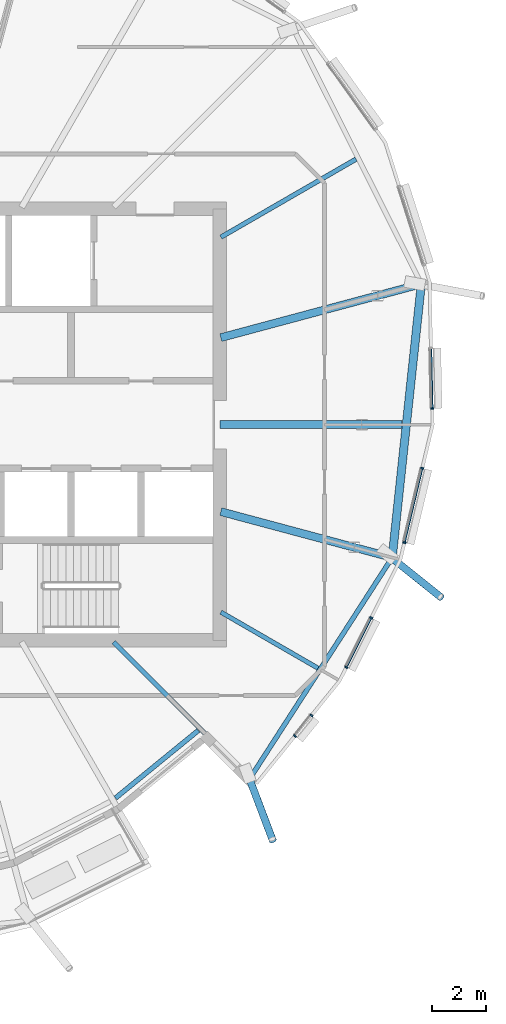
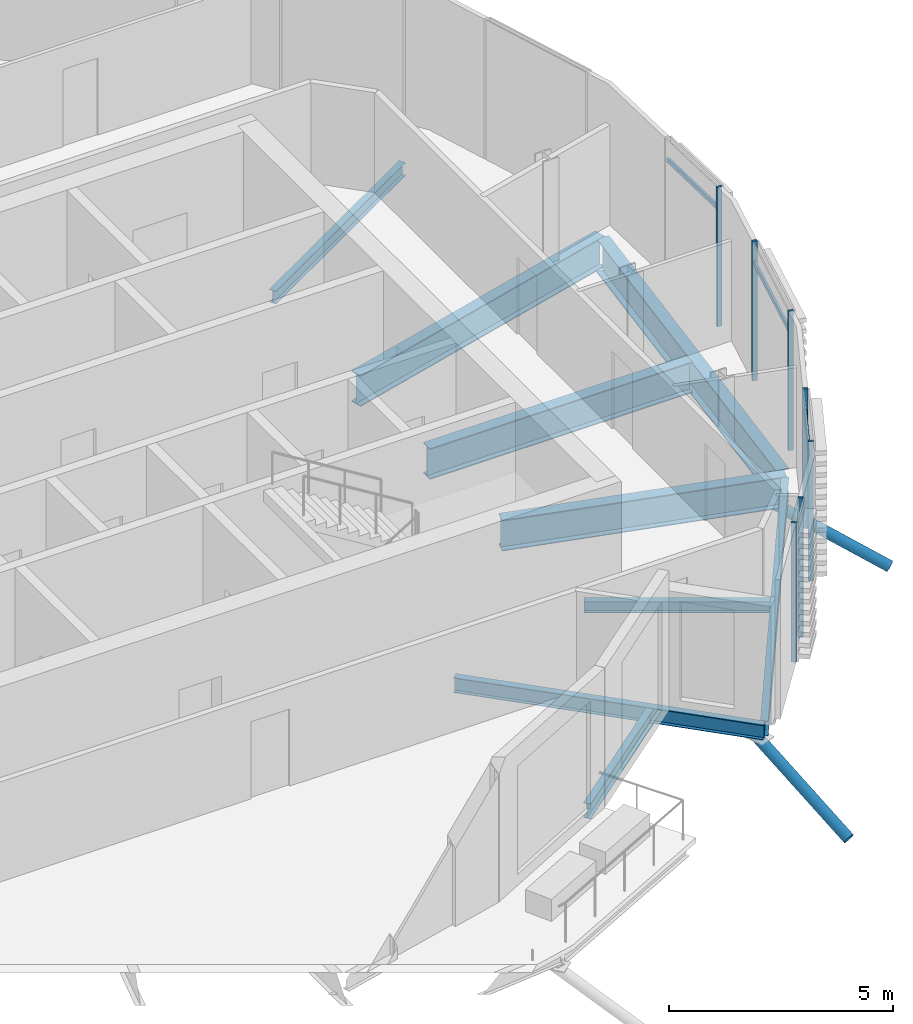
# One storey, part 12 of 41: 12 members, 9 beams, 1 element without a shape of its own.
"""IFC4 building model written with IfcOpenShell, lengths in metres."""

import ifcopenshell
import ifcopenshell.guid

model = None  # the IFC model being written
_history = None  # IfcOwnerHistory: only IFC2X3 demands one
_inside = {}  # id of a spatial element -> (the spatial element, [elements in it])
_under = {}  # id of a project, library or spatial element -> (it, [spatial elements below it])
_declared = {}  # id of a project -> (the project, [libraries it declares])
_typed = {}  # id of a type object -> (the type object, [elements of that type])
_made_of = {}  # id of a material, layer set ... -> (it, [elements and type objects made of it])


def new_model(schema):
    """Start an empty IFC model of exactly this schema.

    Asked for "IFC4X3", IfcOpenShell would pick the latest addendum, in which some entities
    have other attributes; the version numbers below select the first issue.
    IFC2X3 requires an IfcOwnerHistory on every rooted entity: one is made here for all.
    """
    global model, _history
    if schema == "IFC4X3":
        model = ifcopenshell.file(schema_version=(4, 3, 0, 0))
    else:
        model = ifcopenshell.file(schema=schema)
    _inside.clear()
    _under.clear()
    _declared.clear()
    _typed.clear()
    _made_of.clear()
    _history = None
    if model.schema == "IFC2X3":
        org = make("IfcOrganization", Name="unknown")
        user = make(
            "IfcPersonAndOrganization",
            ThePerson=make("IfcPerson", FamilyName="unknown"),
            TheOrganization=org,
        )
        app = make(
            "IfcApplication",
            ApplicationDeveloper=org,
            Version="unknown",
            ApplicationFullName="unknown",
            ApplicationIdentifier="unknown",
        )
        _history = make(
            "IfcOwnerHistory",
            OwningUser=user,
            OwningApplication=app,
            ChangeAction="ADDED",
            CreationDate=0,
        )
    return model


def make(cls, **values):
    """One entity of the class cls with the attributes given. An attribute that is None is left unset."""
    return model.create_entity(
        cls, **{name: value for name, value in values.items() if value is not None}
    )


def rooted(cls, **values):
    """An entity with a GlobalId (a new one), such as an element, a storey or a relation."""
    return make(cls, GlobalId=ifcopenshell.guid.new(), OwnerHistory=_history, **values)


def si_unit(unit_type, name, prefix=None):
    """IfcSIUnit, for example si_unit("LENGTHUNIT", "METRE", prefix="MILLI")."""
    return make("IfcSIUnit", UnitType=unit_type, Prefix=prefix, Name=name)


def assignment(units):
    """IfcUnitAssignment: the units of a project."""
    return None if units is None else make("IfcUnitAssignment", Units=units)


def point(xyz):
    """IfcCartesianPoint."""
    return None if xyz is None else make("IfcCartesianPoint", Coordinates=xyz)


def direction(xyz):
    """IfcDirection."""
    return None if xyz is None else make("IfcDirection", DirectionRatios=xyz)


def frame(location, z_axis=None, x_axis=None):
    """IfcAxis2Placement3D, a coordinate frame: its origin and axes. An axis left out is left unset."""
    return make(
        "IfcAxis2Placement3D",
        Location=point(location),
        Axis=direction(z_axis),
        RefDirection=direction(x_axis),
    )


def frame_2d(location, x_axis=None):
    """IfcAxis2Placement2D, a coordinate frame in the plane: its origin and x axis."""
    return make(
        "IfcAxis2Placement2D", Location=point(location), RefDirection=direction(x_axis)
    )


def origin():
    """The frame at (0, 0, 0) with its axes left unset."""
    return frame((0.0, 0.0, 0.0))


def origin_2d():
    """The frame at (0, 0) in the plane with its x axis left unset."""
    return frame_2d((0.0, 0.0))


def place(relative_to, where):
    """IfcLocalPlacement: puts the frame where relative to a parent placement (None: the world)."""
    return make(
        "IfcLocalPlacement", PlacementRelTo=relative_to, RelativePlacement=where
    )


def context(
    kind, dimensions, precision=None, world=None, true_north=None, identifier=None
):
    """IfcGeometricRepresentationContext, for example the 3D "Model" context."""
    return make(
        "IfcGeometricRepresentationContext",
        ContextIdentifier=identifier,
        ContextType=kind,
        CoordinateSpaceDimension=dimensions,
        Precision=precision,
        WorldCoordinateSystem=world,
        TrueNorth=true_north,
    )


def subcontext(parent, identifier, kind, view, scale=None):
    """IfcGeometricRepresentationSubContext, for example "Body" below "Model"."""
    return make(
        "IfcGeometricRepresentationSubContext",
        ContextIdentifier=identifier,
        ContextType=kind,
        ParentContext=parent,
        TargetScale=scale,
        TargetView=view,
    )


def project(units=None, contexts=None):
    """IfcProject with its units and contexts."""
    return rooted(
        "IfcProject",
        Name="project",
        RepresentationContexts=contexts,
        UnitsInContext=assignment(units),
    )


def spatial(cls, under=None, at=None, **own):
    """A site, building, storey or space (cls), placed at a placement, below another one or the project."""
    s = rooted(cls, ObjectPlacement=at, **own)
    if under is not None:
        _under.setdefault(under.id(), (under, []))[1].append(s)
    return s


def profile(cls, at=None, kind="AREA", **sizes):
    """A parametric profile (cls). Its sizes go by their IFC names, for example OverallWidth=200.0."""
    return make(cls, ProfileType=kind, Position=at, **sizes)


def rectangle(**sizes):
    """IfcRectangleProfileDef."""
    return profile("IfcRectangleProfileDef", **sizes)


def hollow_circle(**sizes):
    """IfcCircleHollowProfileDef."""
    return profile("IfcCircleHollowProfileDef", **sizes)


def i_section(**sizes):
    """IfcIShapeProfileDef."""
    return profile("IfcIShapeProfileDef", **sizes)


def extrude(swept, where, along, depth):
    """IfcExtrudedAreaSolid: the profile swept, set in the frame where, extruded along a direction by depth."""
    return make(
        "IfcExtrudedAreaSolid",
        SweptArea=swept,
        Position=where,
        ExtrudedDirection=direction(along),
        Depth=depth,
    )


def clip(a, b, op="DIFFERENCE"):
    """IfcBooleanClippingResult: the solid a cut by the half space b."""
    return make(
        "IfcBooleanClippingResult", Operator=op, FirstOperand=a, SecondOperand=b
    )


def halfspace(plane, agree):
    """IfcHalfSpaceSolid: all space on one side of the plane z = 0 of the frame plane."""
    return make(
        "IfcHalfSpaceSolid",
        BaseSurface=make("IfcPlane", Position=plane),
        AgreementFlag=agree,
    )


def shape(context_of_items, identifier, shape_type, items):
    """IfcShapeRepresentation: the items that make up one representation, for example the "Body"."""
    return make(
        "IfcShapeRepresentation",
        ContextOfItems=context_of_items,
        RepresentationIdentifier=identifier,
        RepresentationType=shape_type,
        Items=items,
    )


def material(Name=None, Category=None):
    """IfcMaterial."""
    return make("IfcMaterial", Name=Name, Category=Category)


def material_profile(
    of_material, cross_section, Name=None, Category=None, Priority=None
):
    """IfcMaterialProfile: a cross section and its material."""
    return make(
        "IfcMaterialProfile",
        Name=Name,
        Material=of_material,
        Profile=cross_section,
        Priority=Priority,
        Category=Category,
    )


def profile_set(profiles, Name=None, composite=None):
    """IfcMaterialProfileSet."""
    return make(
        "IfcMaterialProfileSet",
        Name=Name,
        MaterialProfiles=profiles,
        CompositeProfile=composite,
    )


def made_of(thing, what):
    """Note that an element or type object is made of a material, layer set ...; save() writes the relation."""
    if what is not None:
        _made_of.setdefault(what.id(), (what, []))[1].append(thing)
    return thing


def type_object(cls, material=None, **own):
    """A type object (cls), such as IfcWallType, which elements share."""
    return made_of(rooted(cls, **own), material)


def element(
    cls,
    number,
    at=None,
    inside=None,
    cuts=None,
    type_object=None,
    material=None,
    context=None,
    identifier="Body",
    shape_type=None,
    held_by="IfcProductDefinitionShape",
    body=None,
    shapes=None,
    **own,
):
    """One element of the class cls, such as IfcWall. Its Tag is "e" and its number.

    at: its placement. inside: the storey or other place that contains it. cuts: it is an
    opening in that element (IfcRelVoidsElement). A single representation is given by context,
    identifier, shape_type and body (its items); several are given by shapes. held_by: the class
    of the entity that holds the representations. save() writes the other relations.
    """
    e = rooted(cls, Tag="e%d" % number, ObjectPlacement=at, **own)
    if body is not None:
        shapes = [shape(context, identifier, shape_type, body)]
    if shapes is not None:
        e.Representation = make(held_by, Representations=shapes)
    if inside is not None:
        _inside.setdefault(inside.id(), (inside, []))[1].append(e)
    if cuts is not None:
        rooted(
            "IfcRelVoidsElement", RelatingBuildingElement=cuts, RelatedOpeningElement=e
        )
    if type_object is not None:
        _typed.setdefault(type_object.id(), (type_object, []))[1].append(e)
    return made_of(e, material)


def aggregate(whole, parts):
    """IfcRelAggregates: a whole, such as a stair, and the parts it consists of."""
    return rooted("IfcRelAggregates", RelatingObject=whole, RelatedObjects=parts)


def save(model, path):
    """Write the relations noted so far, then the file.

    IfcRelAggregates (storeys below a building ...), IfcRelContainedInSpatialStructure (elements
    in a storey), IfcRelDefinesByType, IfcRelAssociatesMaterial and IfcRelDeclares: one each for
    every whole, place, type object, material and project.
    """
    for whole, parts in _under.values():
        aggregate(whole, parts)
    for where, things in _inside.values():
        rooted(
            "IfcRelContainedInSpatialStructure",
            RelatedElements=things,
            RelatingStructure=where,
        )
    for kind, things in _typed.values():
        rooted("IfcRelDefinesByType", RelatedObjects=things, RelatingType=kind)
    for what, things in _made_of.values():
        rooted("IfcRelAssociatesMaterial", RelatedObjects=things, RelatingMaterial=what)
    for by, libraries in _declared.values():
        rooted("IfcRelDeclares", RelatingContext=by, RelatedDefinitions=libraries)
    model.write(path)


model = new_model("IFC4")

# Units and contexts
model_context = context("Model", 3, precision=1e-05, world=origin(), true_north=direction((0.0, 1.0)))
body_context = subcontext(model_context, "Body", "Model", "MODEL_VIEW")
ifc_project = project(units=[si_unit("LENGTHUNIT", "METRE"), si_unit("AREAUNIT", "SQUARE_METRE"), si_unit("VOLUMEUNIT", "CUBIC_METRE"), si_unit("PLANEANGLEUNIT", "RADIAN"), si_unit("MASSUNIT", "GRAM", prefix="KILO")], contexts=[model_context])

# Site, building, storey
site_placement = place(None, origin())
site = spatial("IfcSite", under=ifc_project, at=site_placement, CompositionType="ELEMENT")
building_placement = place(site_placement, origin())
building = spatial("IfcBuilding", under=site, at=building_placement, Name="Rimbun Link Towers", CompositionType="ELEMENT")
storey_placement = place(building_placement, frame((0.0, 0.0, 210.5)))
storey = spatial("IfcBuildingStorey", under=building, at=storey_placement, Name="L51", CompositionType="ELEMENT", Elevation=210.5)

# Curtain wall, members
ifc_material_1 = material(Name="Aluminium 6063-T6 and low-iron glass", Category="aluminium")
curtain_wall_type = type_object("IfcCurtainWallType", Name="CW1-Z4 unitised vision wall (zone 4)", PredefinedType="NOTDEFINED", material=ifc_material_1)
curtain_wall_placement = place(storey_placement, origin())
curtain_wall = element("IfcCurtainWall", 1, at=curtain_wall_placement, inside=storey, type_object=curtain_wall_type, Name="CW1 L51 T2", PredefinedType="NOTDEFINED")
ifc_material_2 = material(Name="Aluminium 6063-T6", Category="aluminium")
ifc_material_profile_1 = material_profile(ifc_material_2, rectangle(XDim=0.1201171875, YDim=0.06005859375, at=origin_2d()), Name="MULLION 60X120")
ifc_profile_set_1 = profile_set([ifc_material_profile_1], Name="Aluminium 6063-T6")
member_type_1 = type_object("IfcMemberType", Name="CW1 mullion 60X120", PredefinedType="MULLION", material=ifc_profile_set_1)
member_1_placement = place(storey_placement, frame((47.15478515625, -10.78662109375, 0.0), z_axis=(0.0, 0.0, 1.0), x_axis=(0.777266138538, -0.629171955734, 0.0)))
member_1 = element("IfcMember", 2, at=member_1_placement, type_object=member_type_1, Name="CW1 mullion", PredefinedType="MULLION", context=body_context, shape_type="SweptSolid", body=[
    extrude(rectangle(XDim=0.1201171875, YDim=0.06005859375, at=origin_2d()), origin(), (0.0, 0.0, 1.0), 3.800048828125),
])
member_2_placement = place(storey_placement, frame((46.5400390625, -11.546142578125, 0.0), z_axis=(0.0, 0.0, 1.0), x_axis=(0.777266138538, -0.629171955734, 0.0)))
member_2 = element("IfcMember", 3, at=member_2_placement, type_object=member_type_1, Name="CW1 mullion", PredefinedType="MULLION", context=body_context, shape_type="SweptSolid", body=[
    extrude(rectangle(XDim=0.1201171875, YDim=0.06005859375, at=origin_2d()), origin(), (0.0, 0.0, 1.0), 3.800048828125),
])
member_3_placement = place(storey_placement, frame((49.3681640625, -7.166748046875, 0.0), z_axis=(0.0, 0.0, 1.0), x_axis=(0.893650392723, -0.448763830524, 0.0)))
member_3 = element("IfcMember", 4, at=member_3_placement, type_object=member_type_1, Name="CW1 mullion", PredefinedType="MULLION", context=body_context, shape_type="SweptSolid", body=[
    extrude(rectangle(XDim=0.1201171875, YDim=0.06005859375, at=origin_2d()), origin(), (0.0, 0.0, 1.0), 3.800048828125),
])
member_4_placement = place(storey_placement, frame((48.44677734375, -9.001708984375, 0.0), z_axis=(0.0, 0.0, 1.0), x_axis=(0.893650392723, -0.448763830524, 0.0)))
member_4 = element("IfcMember", 5, at=member_4_placement, type_object=member_type_1, Name="CW1 mullion", PredefinedType="MULLION", context=body_context, shape_type="SweptSolid", body=[
    extrude(rectangle(XDim=0.1201171875, YDim=0.06005859375, at=origin_2d()), origin(), (0.0, 0.0, 1.0), 3.800048828125),
])
member_5_placement = place(storey_placement, frame((51.260986328125, -1.61865234375, 0.0), z_axis=(0.0, 0.0, 1.0), x_axis=(0.972572572168, -0.232599638579, 0.0)))
member_5 = element("IfcMember", 6, at=member_5_placement, type_object=member_type_1, Name="CW1 mullion", PredefinedType="MULLION", context=body_context, shape_type="SweptSolid", body=[
    extrude(rectangle(XDim=0.1201171875, YDim=0.06005859375, at=origin_2d()), origin(), (0.0, 0.0, 1.0), 3.800048828125),
])
member_6_placement = place(storey_placement, frame((50.601318359375, -4.376708984375, 0.0), z_axis=(0.0, 0.0, 1.0), x_axis=(0.972572572168, -0.232599638579, 0.0)))
member_6 = element("IfcMember", 7, at=member_6_placement, type_object=member_type_1, Name="CW1 mullion", PredefinedType="MULLION", context=body_context, shape_type="SweptSolid", body=[
    extrude(rectangle(XDim=0.1201171875, YDim=0.06005859375, at=origin_2d()), origin(), (0.0, 0.0, 1.0), 3.800048828125),
])
member_7_placement = place(storey_placement, frame((51.633544921875, 0.60107421875, 0.0), z_axis=(0.0, 0.0, 1.0), x_axis=(0.999778345459, 0.021053739591, 0.0)))
member_7 = element("IfcMember", 8, at=member_7_placement, type_object=member_type_1, Name="CW1 mullion", PredefinedType="MULLION", context=body_context, shape_type="SweptSolid", body=[
    extrude(rectangle(XDim=0.1201171875, YDim=0.06005859375, at=origin_2d()), origin(), (0.0, 0.0, 1.0), 3.800048828125),
])
ifc_material_3 = material(Name="Aluminium 6063-T6", Category="aluminium")
ifc_material_profile_2 = material_profile(ifc_material_3, rectangle(XDim=0.06005859375, YDim=0.1201171875, at=origin_2d()), Name="TRANSOM 60X120")
ifc_profile_set_2 = profile_set([ifc_material_profile_2], Name="Aluminium 6063-T6")
member_type_2 = type_object("IfcMemberType", Name="CW1 transom 60X120", PredefinedType="USERDEFINED", material=ifc_profile_set_2)
member_8_placement = place(storey_placement, frame((49.35302734375, -7.192626953125, 3.199951171875), z_axis=(-0.448731583974, -0.893666585223, 0.0), x_axis=(0.893666585223, -0.448731583974, 0.0)))
member_8 = element("IfcMember", 9, at=member_8_placement, type_object=member_type_2, Name="CW1 transom", ObjectType="TRANSOM", PredefinedType="USERDEFINED", context=body_context, shape_type="SweptSolid", body=[
    extrude(rectangle(XDim=0.06005859375, YDim=0.1201171875, at=origin_2d()), origin(), (0.0, 0.0, 1.0), 1.993408203125),
])
member_9_placement = place(storey_placement, frame((51.251953125, -1.6474609375, 3.199951171875), z_axis=(-0.232631086863, -0.972565050485, 0.0), x_axis=(0.972565050485, -0.232631086863, 0.0)))
member_9 = element("IfcMember", 10, at=member_9_placement, type_object=member_type_2, Name="CW1 transom", ObjectType="TRANSOM", PredefinedType="USERDEFINED", context=body_context, shape_type="SweptSolid", body=[
    extrude(rectangle(XDim=0.06005859375, YDim=0.1201171875, at=origin_2d()), origin(), (0.0, 0.0, 1.0), 2.77587890625),
])
member_10_placement = place(storey_placement, frame((51.585205078125, 2.80712890625, 3.199951171875), z_axis=(0.021088095234, -0.999777621394, 0.0), x_axis=(0.999777621394, 0.021088095234, 0.0)))
member_10 = element("IfcMember", 11, at=member_10_placement, type_object=member_type_2, Name="CW1 transom", ObjectType="TRANSOM", PredefinedType="USERDEFINED", context=body_context, shape_type="SweptSolid", body=[
    extrude(rectangle(XDim=0.06005859375, YDim=0.1201171875, at=origin_2d()), origin(), (0.0, 0.0, 1.0), 2.176513671875),
])
aggregate(curtain_wall, [member_1, member_2, member_3, member_4, member_5, member_6, member_7, member_8, member_9, member_10])

# Members
ifc_material_4 = material(Name="Steel S355J2H", Category="steel")
ifc_material_profile_3 = material_profile(ifc_material_4, hollow_circle(Radius=0.136474609375, WallThickness=0.012451171875, at=origin_2d()), Name="CHS 273x12.5")
ifc_profile_set_3 = profile_set([ifc_material_profile_3], Name="Steel S355J2H")
member_type_3 = type_object("IfcMemberType", Name="Floor edge link CHS 273x12.5", PredefinedType="BRACE", material=ifc_profile_set_3)
member_11_placement = place(storey_placement, frame((44.8330078125, -13.0830078125, -0.662841796875), z_axis=(0.302155045675, -0.799200511887, -0.519596834259), x_axis=(0.935381191645, 0.353641098174, 0.0)))
element("IfcMember", 12, at=member_11_placement, inside=storey, type_object=member_type_3, Name="Floor edge link T2 L51 18", PredefinedType="BRACE", context=body_context, shape_type="Clipping", body=[
    clip(extrude(hollow_circle(Radius=0.136474609375, WallThickness=0.012451171875, at=origin_2d()), frame((0.0, 0.0, -0.468017578125)), (0.0, 0.0, 1.0), 3.40185546875), halfspace(frame((0.0, 0.0, -0.22021484375), z_axis=(0.0, 0.854411569343, -0.519596834259)), False)),
])
member_12_placement = place(storey_placement, frame((50.0966796875, -4.916015625, -1.10009765625), z_axis=(0.684904628389, -0.547727608206, -0.480520673041), x_axis=(0.624558695861, 0.780977871277, 0.0)))
element("IfcMember", 13, at=member_12_placement, inside=storey, type_object=member_type_3, Name="Floor edge link T2 L51 20", PredefinedType="BRACE", context=body_context, shape_type="Clipping", body=[
    clip(extrude(hollow_circle(Radius=0.136474609375, WallThickness=0.012451171875, at=origin_2d()), frame((0.0, 0.0, -0.51904296875)), (0.0, 0.0, 1.0), 3.258056640625), halfspace(frame((0.0, 0.0, -0.244384765625), z_axis=(0.0, 0.876983399375, -0.480520673041)), False)),
])

# Beams
ifc_material_5 = material(Name="Steel S355J2", Category="steel")
ifc_material_profile_4 = material_profile(ifc_material_5, i_section(OverallWidth=0.1650390625, OverallDepth=0.303466796875, WebThickness=0.006103515625, FlangeThickness=0.01025390625, at=origin_2d()), Name="UB 305x165x40")
ifc_profile_set_4 = profile_set([ifc_material_profile_4], Name="Steel S355J2")
beam_type_1 = type_object("IfcBeamType", Name="UB 305x165x40", PredefinedType="BEAM", material=ifc_profile_set_4)
beam_1_placement = place(storey_placement, frame((43.7919921875, -6.952392578125, -0.291748046875), z_axis=(0.866020402632, -0.50000866215, 0.0), x_axis=(0.50000866215, 0.866020402632, 0.0)))
element("IfcBeam", 14, at=beam_1_placement, inside=storey, type_object=beam_type_1, Name="Radial beam T2 L51 19", PredefinedType="BEAM", context=body_context, shape_type="SweptSolid", body=[
    extrude(i_section(OverallWidth=0.1650390625, OverallDepth=0.303466796875, WebThickness=0.006103515625, FlangeThickness=0.01025390625, at=origin_2d()), origin(), (0.0, 0.0, 1.0), 4.15966796875),
])
ifc_material_6 = material(Name="Steel S355J2", Category="steel")
ifc_material_profile_5 = material_profile(ifc_material_6, i_section(OverallWidth=0.17138671875, OverallDepth=0.35498046875, WebThickness=0.00732421875, FlangeThickness=0.011474609375, at=origin_2d()), Name="UB 356x171x51")
ifc_profile_set_5 = profile_set([ifc_material_profile_5], Name="Steel S355J2")
beam_type_2 = type_object("IfcBeamType", Name="UB 356x171x51", PredefinedType="BEAM", material=ifc_profile_set_5)
beam_2_placement = place(storey_placement, frame((43.793701171875, 6.95361328125, -0.3173828125), z_axis=(0.866032388169, 0.499987902496, 0.0), x_axis=(-0.499987902496, 0.866032388169, 0.0)))
element("IfcBeam", 15, at=beam_2_placement, inside=storey, type_object=beam_type_2, Name="Radial beam T2 L51 23", PredefinedType="BEAM", context=body_context, shape_type="SweptSolid", body=[
    extrude(i_section(OverallWidth=0.17138671875, OverallDepth=0.35498046875, WebThickness=0.00732421875, FlangeThickness=0.011474609375, at=origin_2d()), origin(), (0.0, 0.0, 1.0), 5.785400390625),
])
ifc_material_7 = material(Name="Steel S355J2", Category="steel")
ifc_material_profile_6 = material_profile(ifc_material_7, i_section(OverallWidth=0.177978515625, OverallDepth=0.406494140625, WebThickness=0.0078125, FlangeThickness=0.0126953125, at=origin_2d()), Name="UB 406x178x60")
ifc_profile_set_6 = profile_set([ifc_material_profile_6], Name="Steel S355J2")
beam_type_3 = type_object("IfcBeamType", Name="UB 406x178x60", PredefinedType="BEAM", material=ifc_profile_set_6)
beam_3_placement = place(storey_placement, frame((39.813720703125, -8.063720703125, -0.34326171875), z_axis=(0.707106781187, -0.707106781187, 0.0), x_axis=(0.707106781187, 0.707106781187, 0.0)))
element("IfcBeam", 16, at=beam_3_placement, inside=storey, type_object=beam_type_3, Name="Radial beam T2 L51 18", PredefinedType="BEAM", context=body_context, shape_type="SweptSolid", body=[
    extrude(i_section(OverallWidth=0.177978515625, OverallDepth=0.406494140625, WebThickness=0.0078125, FlangeThickness=0.0126953125, at=origin_2d()), origin(), (0.0, 0.0, 1.0), 7.1484375),
])
beam_4_placement = place(storey_placement, frame((39.8837890625, -13.848388671875, -0.34326171875), z_axis=(0.77468707344, 0.632344793799, 0.0), x_axis=(-0.632344793799, 0.77468707344, 0.0)))
element("IfcBeam", 17, at=beam_4_placement, inside=storey, type_object=beam_type_3, Name="Edge beam T2 L51 17 recess", PredefinedType="BEAM", context=body_context, shape_type="SweptSolid", body=[
    extrude(i_section(OverallWidth=0.177978515625, OverallDepth=0.406494140625, WebThickness=0.0078125, FlangeThickness=0.0126953125, at=origin_2d()), origin(), (0.0, 0.0, 1.0), 3.9619140625),
])
beam_5_placement = place(storey_placement, frame((44.918212890625, -13.041015625, -0.34326171875), z_axis=(0.541626647859, 0.840619161291, 0.0), x_axis=(-0.840619161291, 0.541626647859, 0.0)))
element("IfcBeam", 18, at=beam_5_placement, inside=storey, type_object=beam_type_3, Name="Edge beam T2 L51 18-20", PredefinedType="BEAM", context=body_context, shape_type="SweptSolid", body=[
    extrude(i_section(OverallWidth=0.177978515625, OverallDepth=0.406494140625, WebThickness=0.0078125, FlangeThickness=0.0126953125, at=origin_2d()), origin(), (0.0, 0.0, 1.0), 9.49560546875),
])
ifc_material_8 = material(Name="Steel S355J2", Category="steel")
ifc_material_profile_7 = material_profile(ifc_material_8, i_section(OverallWidth=0.29248046875, OverallDepth=0.8408203125, WebThickness=0.0126953125, FlangeThickness=0.021728515625, at=origin_2d()), Name="UB 838x292x194")
ifc_profile_set_7 = profile_set([ifc_material_profile_7], Name="Steel S355J2")
beam_type_4 = type_object("IfcBeamType", Name="UB 838x292x194", PredefinedType="BEAM", material=ifc_profile_set_7)
beam_6_placement = place(storey_placement, frame((43.788818359375, -3.225830078125, -0.560302734375), z_axis=(0.965926357064, -0.258817064216, 0.0), x_axis=(0.258817064216, 0.965926357064, 0.0)))
element("IfcBeam", 19, at=beam_6_placement, inside=storey, type_object=beam_type_4, Name="Radial beam T2 L51 20", PredefinedType="BEAM", context=body_context, shape_type="SweptSolid", body=[
    extrude(i_section(OverallWidth=0.29248046875, OverallDepth=0.8408203125, WebThickness=0.0126953125, FlangeThickness=0.021728515625, at=origin_2d()), origin(), (0.0, 0.0, 1.0), 6.580322265625),
])
beam_7_placement = place(storey_placement, frame((43.7509765625, 0.0, -0.560302734375), z_axis=(1.0, 0.0, 0.0), x_axis=(0.0, 1.0, 0.0)))
element("IfcBeam", 20, at=beam_7_placement, inside=storey, type_object=beam_type_4, Name="Radial beam T2 L51 21", PredefinedType="BEAM", context=body_context, shape_type="SweptSolid", body=[
    extrude(i_section(OverallWidth=0.29248046875, OverallDepth=0.8408203125, WebThickness=0.0126953125, FlangeThickness=0.021728515625, at=origin_2d()), origin(), (0.0, 0.0, 1.0), 6.7646484375),
])
beam_8_placement = place(storey_placement, frame((43.788818359375, 3.225830078125, -0.560302734375), z_axis=(0.965924274196, 0.258824837522, 0.0), x_axis=(-0.258824837522, 0.965924274196, 0.0)))
element("IfcBeam", 21, at=beam_8_placement, inside=storey, type_object=beam_type_4, Name="Radial beam T2 L51 22", PredefinedType="BEAM", context=body_context, shape_type="SweptSolid", body=[
    extrude(i_section(OverallWidth=0.29248046875, OverallDepth=0.8408203125, WebThickness=0.0126953125, FlangeThickness=0.021728515625, at=origin_2d()), origin(), (0.0, 0.0, 1.0), 7.699951171875),
])
ifc_material_9 = material(Name="Steel S355J2", Category="steel")
ifc_material_profile_8 = material_profile(ifc_material_9, i_section(OverallWidth=0.305419921875, OverallDepth=0.91845703125, WebThickness=0.017333984375, FlangeThickness=0.02783203125, at=origin_2d()), Name="UB 914x305x253")
ifc_profile_set_8 = profile_set([ifc_material_profile_8], Name="Steel S355J2")
beam_type_5 = type_object("IfcBeamType", Name="UB 914x305x253", PredefinedType="BEAM", material=ifc_profile_set_8)
beam_9_placement = place(storey_placement, frame((50.160888671875, -4.78076171875, -0.59912109375), z_axis=(0.105958328538, 0.994370571072, 0.0), x_axis=(-0.994370571072, 0.105958328538, 0.0)))
element("IfcBeam", 22, at=beam_9_placement, inside=storey, type_object=beam_type_5, Name="Edge beam T2 L51 20-22", PredefinedType="BEAM", context=body_context, shape_type="SweptSolid", body=[
    extrude(i_section(OverallWidth=0.305419921875, OverallDepth=0.91845703125, WebThickness=0.017333984375, FlangeThickness=0.02783203125, at=origin_2d()), origin(), (0.0, 0.0, 1.0), 9.8984375),
])

save(model, "model.ifc")
